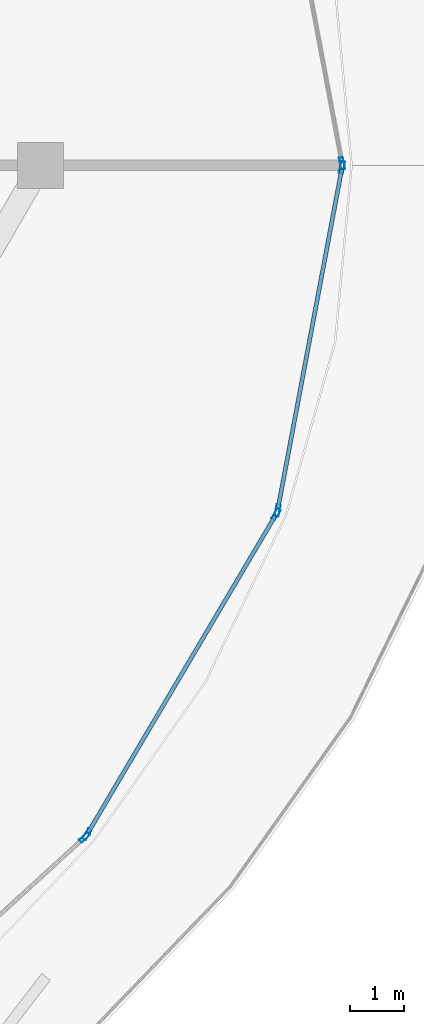
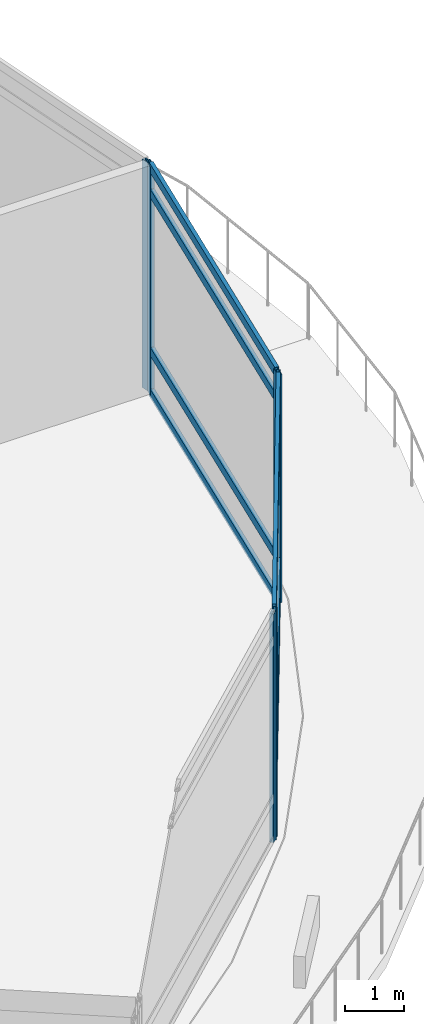
# One storey, part 22 of 36: 14 members, 4 elements without a shape of their own.
"""IFC4 building model written with IfcOpenShell, lengths in metres."""

from ifc_helpers import new_model, si_unit, direction, frame, origin, origin_2d, place, context, subcontext, project, spatial, hollow_rectangle, extrude, material, layer, layer_set, material_profile, profile_set, type_object, element, aggregate, save


model = new_model("IFC4")

# Units and contexts
model_context = context("Model", 3, precision=1e-05, world=origin(), true_north=direction((0.0, 1.0)))
body_context = subcontext(model_context, "Body", "Model", "MODEL_VIEW")
ifc_project = project(units=[si_unit("LENGTHUNIT", "METRE"), si_unit("AREAUNIT", "SQUARE_METRE"), si_unit("VOLUMEUNIT", "CUBIC_METRE"), si_unit("PLANEANGLEUNIT", "RADIAN"), si_unit("MASSUNIT", "GRAM", prefix="KILO")], contexts=[model_context])

# Site, building, storey
site_placement = place(None, origin())
site = spatial("IfcSite", under=ifc_project, at=site_placement, CompositionType="ELEMENT")
building_placement = place(site_placement, origin())
building = spatial("IfcBuilding", under=site, at=building_placement, Name="Nuhasar Tower", CompositionType="ELEMENT")
storey_placement = place(building_placement, frame((0.0, 0.0, 11.0)))
storey = spatial("IfcBuildingStorey", under=building, at=storey_placement, Name="L02", CompositionType="ELEMENT", Elevation=11.0)

# Curtain wall, member
ifc_material = material(Name="Aluminium 6063-T6", Category="aluminium")
ifc_layer = layer(ifc_material, 0.219970703125)
ifc_layer_set = layer_set([ifc_layer], Name="Aluminium 6063-T6")
curtain_wall_type = type_object("IfcCurtainWallType", Name="CW-PODIUM", PredefinedType="NOTDEFINED", material=ifc_layer_set)
curtain_wall_1_placement = place(storey_placement, origin())
curtain_wall_1 = element("IfcCurtainWall", 1, at=curtain_wall_1_placement, inside=storey, type_object=curtain_wall_type, Name="L02 Podium Curtain Wall Bay 01", PredefinedType="NOTDEFINED")
ifc_material_profile_1 = material_profile(ifc_material, hollow_rectangle(XDim=0.074951171875, YDim=0.219970703125, WallThickness=0.0048828125, at=origin_2d()), Name="CWM-1")
ifc_profile_set_1 = profile_set([ifc_material_profile_1], Name="Aluminium 6063-T6")
member_type_1 = type_object("IfcMemberType", Name="CW-MUL-S1", PredefinedType="MULLION", material=ifc_profile_set_1)
member_1_placement = place(storey_placement, frame((74.43310546875, 26.8369140625, 0.0), z_axis=(0.0, 0.0, 1.0), x_axis=(-0.982801159334, -0.184666946725, 0.0)))
member_1 = element("IfcMember", 2, at=member_1_placement, type_object=member_type_1, Name="CW-P1 mullion 1", PredefinedType="MULLION", context=body_context, shape_type="SweptSolid", body=[
    extrude(hollow_rectangle(XDim=0.074951171875, YDim=0.219970703125, WallThickness=0.0048828125, at=origin_2d()), origin(), (0.0, 0.0, 1.0), 4.699951171875),
])
aggregate(curtain_wall_1, [member_1])

curtain_wall_2_placement = place(storey_placement, origin())
curtain_wall_2 = element("IfcCurtainWall", 3, at=curtain_wall_2_placement, inside=storey, type_object=curtain_wall_type, Name="L02 Podium Curtain Wall Bay 22", PredefinedType="NOTDEFINED")
member_2_placement = place(storey_placement, frame((69.664306640625, 14.354736328125, 0.0), z_axis=(0.0, 0.0, 1.0), x_axis=(-0.674465166517, 0.738306670127, 0.0)))
member_2 = element("IfcMember", 4, at=member_2_placement, type_object=member_type_1, Name="CW-P1 mullion 2", PredefinedType="MULLION", context=body_context, shape_type="SweptSolid", body=[
    extrude(hollow_rectangle(XDim=0.074951171875, YDim=0.219970703125, WallThickness=0.0048828125, at=origin_2d()), origin(), (0.0, 0.0, 1.0), 4.699951171875),
])
aggregate(curtain_wall_2, [member_2])

# Curtain wall, members
curtain_wall_3_placement = place(storey_placement, origin())
curtain_wall_3 = element("IfcCurtainWall", 5, at=curtain_wall_3_placement, inside=storey, type_object=curtain_wall_type, Name="L02 Podium Curtain Wall Bay 23", PredefinedType="NOTDEFINED")
member_3_placement = place(storey_placement, frame((69.711181640625, 14.412353515625, 0.0), z_axis=(0.0, 0.0, 1.0), x_axis=(-0.860935110761, 0.508714787537, 0.0)))
member_3 = element("IfcMember", 6, at=member_3_placement, type_object=member_type_1, Name="CW-P1 mullion 1", PredefinedType="MULLION", context=body_context, shape_type="SweptSolid", body=[
    extrude(hollow_rectangle(XDim=0.074951171875, YDim=0.219970703125, WallThickness=0.0048828125, at=origin_2d()), origin(), (0.0, 0.0, 1.0), 4.699951171875),
])
member_4_placement = place(storey_placement, frame((73.212890625, 20.338623046875, 0.0), z_axis=(0.0, 0.0, 1.0), x_axis=(-0.860935110761, 0.508714787537, 0.0)))
member_4 = element("IfcMember", 7, at=member_4_placement, type_object=member_type_1, Name="CW-P1 mullion 2", PredefinedType="MULLION", context=body_context, shape_type="SweptSolid", body=[
    extrude(hollow_rectangle(XDim=0.074951171875, YDim=0.219970703125, WallThickness=0.0048828125, at=origin_2d()), origin(), (0.0, 0.0, 1.0), 4.699951171875),
])

curtain_wall_4_placement = place(storey_placement, origin())
curtain_wall_4 = element("IfcCurtainWall", 8, at=curtain_wall_4_placement, inside=storey, type_object=curtain_wall_type, Name="L02 Podium Curtain Wall Bay 24", PredefinedType="NOTDEFINED")
member_5_placement = place(storey_placement, frame((73.239013671875, 20.407958984375, 0.0), z_axis=(0.0, 0.0, 1.0), x_axis=(-0.982801159334, 0.184666946725, 0.0)))
member_5 = element("IfcMember", 9, at=member_5_placement, type_object=member_type_1, Name="CW-P1 mullion 1", PredefinedType="MULLION", context=body_context, shape_type="SweptSolid", body=[
    extrude(hollow_rectangle(XDim=0.074951171875, YDim=0.219970703125, WallThickness=0.0048828125, at=origin_2d()), origin(), (0.0, 0.0, 1.0), 4.699951171875),
])
member_6_placement = place(storey_placement, frame((74.43310546875, 26.76318359375, 0.0), z_axis=(0.0, 0.0, 1.0), x_axis=(-0.982801159334, 0.184666946725, 0.0)))
member_6 = element("IfcMember", 10, at=member_6_placement, type_object=member_type_1, Name="CW-P1 mullion 2", PredefinedType="MULLION", context=body_context, shape_type="SweptSolid", body=[
    extrude(hollow_rectangle(XDim=0.074951171875, YDim=0.219970703125, WallThickness=0.0048828125, at=origin_2d()), origin(), (0.0, 0.0, 1.0), 4.699951171875),
])

# Member
ifc_material_profile_2 = material_profile(ifc_material, hollow_rectangle(XDim=0.074951171875, YDim=0.179931640625, WallThickness=0.00439453125, at=origin_2d()), Name="CWT-1")
ifc_profile_set_2 = profile_set([ifc_material_profile_2], Name="Aluminium 6063-T6")
member_type_2 = type_object("IfcMemberType", Name="CW-TRN-S1", PredefinedType="USERDEFINED", material=ifc_profile_set_2)
member_7_placement = place(storey_placement, frame((69.730224609375, 14.444580078125, 0.03759765625), z_axis=(0.508709983008, 0.860937949674, 0.0), x_axis=(-0.860937949674, 0.508709983008, 0.0)))
member_7 = element("IfcMember", 11, at=member_7_placement, type_object=member_type_2, Name="CW-P1 transom 1.1", ObjectType="TRANSOM", PredefinedType="USERDEFINED", context=body_context, shape_type="SweptSolid", body=[
    extrude(hollow_rectangle(XDim=0.074951171875, YDim=0.179931640625, WallThickness=0.00439453125, at=origin_2d()), origin(), (0.0, 0.0, 1.0), 6.80859375),
])

member_8_placement = place(storey_placement, frame((69.730224609375, 14.444580078125, 0.89990234375), z_axis=(0.508709983008, 0.860937949674, 0.0), x_axis=(-0.860937949674, 0.508709983008, 0.0)))
member_8 = element("IfcMember", 12, at=member_8_placement, type_object=member_type_2, Name="CW-P1 transom 1.2", ObjectType="TRANSOM", PredefinedType="USERDEFINED", context=body_context, shape_type="SweptSolid", body=[
    extrude(hollow_rectangle(XDim=0.074951171875, YDim=0.179931640625, WallThickness=0.00439453125, at=origin_2d()), origin(), (0.0, 0.0, 1.0), 6.80859375),
])

member_9_placement = place(storey_placement, frame((69.730224609375, 14.444580078125, 4.14990234375), z_axis=(0.508709983008, 0.860937949674, 0.0), x_axis=(-0.860937949674, 0.508709983008, 0.0)))
member_9 = element("IfcMember", 13, at=member_9_placement, type_object=member_type_2, Name="CW-P1 transom 1.3", ObjectType="TRANSOM", PredefinedType="USERDEFINED", context=body_context, shape_type="SweptSolid", body=[
    extrude(hollow_rectangle(XDim=0.074951171875, YDim=0.179931640625, WallThickness=0.00439453125, at=origin_2d()), origin(), (0.0, 0.0, 1.0), 6.80859375),
])

member_10_placement = place(storey_placement, frame((69.730224609375, 14.444580078125, 4.66259765625), z_axis=(0.508709983008, 0.860937949674, 0.0), x_axis=(-0.860937949674, 0.508709983008, 0.0)))
member_10 = element("IfcMember", 14, at=member_10_placement, type_object=member_type_2, Name="CW-P1 transom 1.4", ObjectType="TRANSOM", PredefinedType="USERDEFINED", context=body_context, shape_type="SweptSolid", body=[
    extrude(hollow_rectangle(XDim=0.074951171875, YDim=0.179931640625, WallThickness=0.00439453125, at=origin_2d()), origin(), (0.0, 0.0, 1.0), 6.80859375),
])

aggregate(curtain_wall_3, [member_3, member_4, member_7, member_8, member_9, member_10])

member_11_placement = place(storey_placement, frame((73.245849609375, 20.44482421875, 0.03759765625), z_axis=(0.184687509174, 0.982797295456, 0.0), x_axis=(-0.982797295456, 0.184687509174, 0.0)))
member_11 = element("IfcMember", 15, at=member_11_placement, type_object=member_type_2, Name="CW-P1 transom 1.1", ObjectType="TRANSOM", PredefinedType="USERDEFINED", context=body_context, shape_type="SweptSolid", body=[
    extrude(hollow_rectangle(XDim=0.074951171875, YDim=0.179931640625, WallThickness=0.00439453125, at=origin_2d()), origin(), (0.0, 0.0, 1.0), 6.391357421875),
])

member_12_placement = place(storey_placement, frame((73.245849609375, 20.44482421875, 0.89990234375), z_axis=(0.184687509174, 0.982797295456, 0.0), x_axis=(-0.982797295456, 0.184687509174, 0.0)))
member_12 = element("IfcMember", 16, at=member_12_placement, type_object=member_type_2, Name="CW-P1 transom 1.2", ObjectType="TRANSOM", PredefinedType="USERDEFINED", context=body_context, shape_type="SweptSolid", body=[
    extrude(hollow_rectangle(XDim=0.074951171875, YDim=0.179931640625, WallThickness=0.00439453125, at=origin_2d()), origin(), (0.0, 0.0, 1.0), 6.391357421875),
])

member_13_placement = place(storey_placement, frame((73.245849609375, 20.44482421875, 4.14990234375), z_axis=(0.184687509174, 0.982797295456, 0.0), x_axis=(-0.982797295456, 0.184687509174, 0.0)))
member_13 = element("IfcMember", 17, at=member_13_placement, type_object=member_type_2, Name="CW-P1 transom 1.3", ObjectType="TRANSOM", PredefinedType="USERDEFINED", context=body_context, shape_type="SweptSolid", body=[
    extrude(hollow_rectangle(XDim=0.074951171875, YDim=0.179931640625, WallThickness=0.00439453125, at=origin_2d()), origin(), (0.0, 0.0, 1.0), 6.391357421875),
])

member_14_placement = place(storey_placement, frame((73.245849609375, 20.44482421875, 4.66259765625), z_axis=(0.184687509174, 0.982797295456, 0.0), x_axis=(-0.982797295456, 0.184687509174, 0.0)))
member_14 = element("IfcMember", 18, at=member_14_placement, type_object=member_type_2, Name="CW-P1 transom 1.4", ObjectType="TRANSOM", PredefinedType="USERDEFINED", context=body_context, shape_type="SweptSolid", body=[
    extrude(hollow_rectangle(XDim=0.074951171875, YDim=0.179931640625, WallThickness=0.00439453125, at=origin_2d()), origin(), (0.0, 0.0, 1.0), 6.391357421875),
])

aggregate(curtain_wall_4, [member_5, member_6, member_11, member_12, member_13, member_14])

save(model, "model.ifc")
